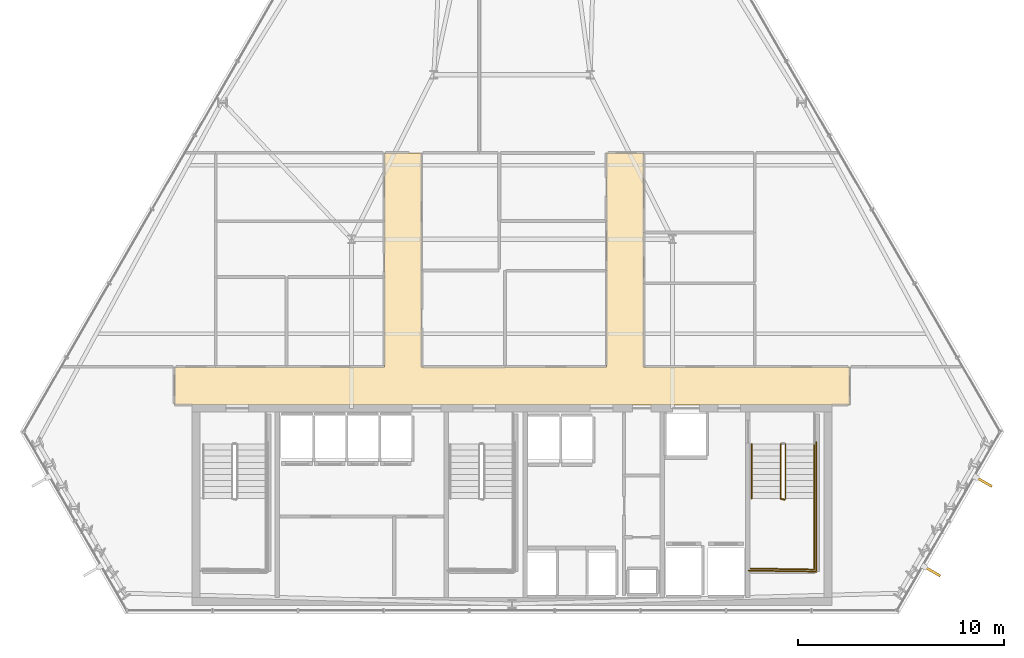
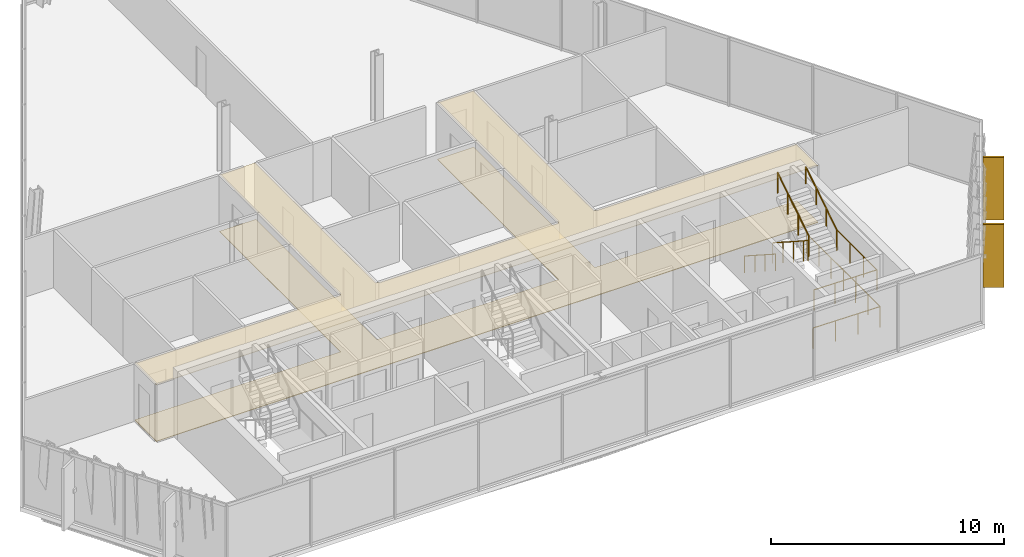
# One storey, part 33 of 35: 6 railings, 2 coverings, 2 shading devices.
"""IFC4 building model written with IfcOpenShell, lengths in metres."""

from ifc_helpers import new_model, si_unit, direction, frame, origin, origin_2d, place, context, subcontext, project, spatial, polyline, rectangle, circle, outline, extrude, material, layer, layer_set, type_object, element, save


model = new_model("IFC4")

# Units and contexts
model_context = context("Model", 3, precision=1e-05, world=origin(), true_north=direction((0.0, 1.0)))
body_context = subcontext(model_context, "Body", "Model", "MODEL_VIEW")
ifc_project = project(units=[si_unit("LENGTHUNIT", "METRE"), si_unit("AREAUNIT", "SQUARE_METRE"), si_unit("VOLUMEUNIT", "CUBIC_METRE"), si_unit("PLANEANGLEUNIT", "RADIAN"), si_unit("MASSUNIT", "GRAM", prefix="KILO")], contexts=[model_context])

# Site, building, storey
site_placement = place(None, origin())
site = spatial("IfcSite", under=ifc_project, at=site_placement, CompositionType="ELEMENT")
building_placement = place(site_placement, origin())
building = spatial("IfcBuilding", under=site, at=building_placement, Name="Ndaravel Arena Tower", CompositionType="ELEMENT")
storey_placement = place(building_placement, frame((0.0, 0.0, 180.199951171875)))
storey = spatial("IfcBuildingStorey", under=building, at=storey_placement, Name="L43", CompositionType="ELEMENT", Elevation=180.199951171875)

# Coverings
ifc_material_1 = material(Name="Acoustic Ceiling Tile", Category="finish")
ifc_layer_1 = layer(ifc_material_1, 0.02490234375)
ifc_layer_set_1 = layer_set([ifc_layer_1], Name="Acoustic Ceiling Tile")
covering_type_1 = type_object("IfcCoveringType", Name="COV-CEIL-AC600", PredefinedType="CEILING", material=ifc_layer_set_1)
covering_1_placement = place(storey_placement, frame((0.0, 0.0, 2.98046875)))
element("IfcCovering", 1, at=covering_1_placement, inside=storey, type_object=covering_type_1, Name="L43 Corridor Acoustic Ceiling", PredefinedType="CEILING", context=body_context, shape_type="SweptSolid", body=[
    extrude(outline(polyline([(58.39990234375, 17.0), (48.39990234375, 17.0), (48.39990234375, 27.39990234375), (46.60009765625, 27.39990234375), (46.60009765625, 17.0), (37.60009765625, 17.0), (37.60009765625, 27.39990234375), (35.800048828125, 27.39990234375), (35.800048828125, 17.0), (25.60009765625, 17.0), (25.60009765625, 15.14990234375), (58.39990234375, 15.14990234375), (58.39990234375, 17.0)])), origin(), (0.0, 0.0, 1.0), 0.025146484375),
])
ifc_material_2 = material(Name="Terrazzo", Category="stone")
ifc_layer_2 = layer(ifc_material_2, 0.030029296875)
ifc_layer_set_2 = layer_set([ifc_layer_2], Name="Terrazzo")
covering_type_2 = type_object("IfcCoveringType", Name="COV-FLOOR-TERRAZZO", PredefinedType="FLOORING", material=ifc_layer_set_2)
covering_2_placement = place(storey_placement, origin())
element("IfcCovering", 2, at=covering_2_placement, inside=storey, type_object=covering_type_2, Name="L43 Corridor Terrazzo Flooring", PredefinedType="FLOORING", context=body_context, shape_type="SweptSolid", body=[
    extrude(outline(polyline([(58.39990234375, 17.0), (48.39990234375, 17.0), (48.39990234375, 27.39990234375), (46.60009765625, 27.39990234375), (46.60009765625, 17.0), (37.60009765625, 17.0), (37.60009765625, 27.39990234375), (35.800048828125, 27.39990234375), (35.800048828125, 17.0), (25.60009765625, 17.0), (25.60009765625, 15.14990234375), (58.39990234375, 15.14990234375), (58.39990234375, 17.0)])), origin(), (0.0, 0.0, 1.0), 0.030029296875),
])

# Railings
ifc_material_3 = material(Name="Steel S355", Category="steel")
ifc_layer_3 = layer(ifc_material_3, 0.06005859375)
ifc_layer_set_3 = layer_set([ifc_layer_3], Name="Steel S355")
railing_type_1 = type_object("IfcRailingType", Name="RAIL-STAIR-GD1100", PredefinedType="GUARDRAIL", material=ifc_layer_set_3)
railing_1_placement = place(storey_placement, frame((55.050048828125, 13.25, 0.18994140625)))
element("IfcRailing", 3, at=railing_1_placement, inside=storey, type_object=railing_type_1, Name="L43 ST-3 stair guard 1", PredefinedType="GUARDRAIL", context=body_context, shape_type="SweptSolid", body=[
    extrude(circle(Radius=0.02392578125, at=origin_2d()), frame((0.0, 0.0, 1.076171875), z_axis=(0.0, -0.840688348013, 0.541519253134), x_axis=(1.0, 0.0, 0.0)), (0.0, 0.0, 1.0), 3.158203125),
    extrude(circle(Radius=0.02392578125, at=origin_2d()), frame((0.0, -2.655029296875, 2.7861328125), z_axis=(0.966993988697, -0.254799187253, 0.0), x_axis=(0.254799187253, 0.966993988697, 0.0)), (0.0, 0.0, 1.0), 0.196533203125),
    extrude(circle(Radius=0.02099609375, at=origin_2d()), origin(), (0.0, 0.0, 1.0), 1.052001953125),
    extrude(circle(Radius=0.02099609375, at=origin_2d()), frame((0.0, -0.885009765625, 0.570068359375)), (0.0, 0.0, 1.0), 1.052001953125),
    extrude(circle(Radius=0.02099609375, at=origin_2d()), frame((0.0, -1.77001953125, 1.14013671875)), (0.0, 0.0, 1.0), 1.052001953125),
    extrude(circle(Radius=0.02099609375, at=origin_2d()), frame((0.0, -2.655029296875, 1.710205078125)), (0.0, 0.0, 1.0), 1.052001953125),
    extrude(circle(Radius=0.02099609375, at=origin_2d()), frame((0.18994140625, -2.705078125, 1.710205078125)), (0.0, 0.0, 1.0), 1.052001953125),
])
railing_2_placement = place(storey_placement, frame((56.68994140625, 10.594970703125, 1.900146484375)))
element("IfcRailing", 4, at=railing_2_placement, inside=storey, type_object=railing_type_1, Name="L43 ST-3 stair guard 2", PredefinedType="GUARDRAIL", context=body_context, shape_type="SweptSolid", body=[
    extrude(circle(Radius=0.02392578125, at=origin_2d()), frame((0.0, 0.0, 1.076171875), z_axis=(0.0, -1.0, 0.0), x_axis=(1.0, 0.0, 0.0)), (0.0, 0.0, 1.0), 3.445068359375),
    extrude(circle(Radius=0.02392578125, at=origin_2d()), frame((0.0, -3.445068359375, 1.076171875), z_axis=(-0.999868840623, 0.016195726322, 0.0), x_axis=(-0.016195726322, -0.999868840623, 0.0)), (0.0, 0.0, 1.0), 3.09033203125),
    extrude(circle(Radius=0.02099609375, at=origin_2d()), origin(), (0.0, 0.0, 1.0), 1.052001953125),
    extrude(circle(Radius=0.02099609375, at=origin_2d()), frame((0.0, -1.1484375, 0.0)), (0.0, 0.0, 1.0), 1.052001953125),
    extrude(circle(Radius=0.02099609375, at=origin_2d()), frame((0.0, -2.296630859375, 0.0)), (0.0, 0.0, 1.0), 1.052001953125),
    extrude(circle(Radius=0.02099609375, at=origin_2d()), frame((0.0, -3.445068359375, 0.0)), (0.0, 0.0, 1.0), 1.052001953125),
    extrude(circle(Radius=0.02099609375, at=origin_2d()), frame((-1.030029296875, -3.428466796875, 0.0)), (0.0, 0.0, 1.0), 1.052001953125),
    extrude(circle(Radius=0.02099609375, at=origin_2d()), frame((-2.059814453125, -3.41162109375, 0.0)), (0.0, 0.0, 1.0), 1.052001953125),
    extrude(circle(Radius=0.02099609375, at=origin_2d()), frame((-3.08984375, -3.39501953125, 0.0)), (0.0, 0.0, 1.0), 1.052001953125),
])
railing_3_placement = place(storey_placement, frame((55.2900390625, 10.594970703125, 2.090087890625)))
element("IfcRailing", 5, at=railing_3_placement, inside=storey, type_object=railing_type_1, Name="L43 ST-3 stair guard 3", PredefinedType="GUARDRAIL", context=body_context, shape_type="SweptSolid", body=[
    extrude(circle(Radius=0.02392578125, at=origin_2d()), frame((0.0, 0.0, 1.076171875), z_axis=(0.0, 0.840723540582, 0.54146461409), x_axis=(-1.0, 0.0, 0.0)), (0.0, 0.0, 1.0), 3.157958984375),
    extrude(circle(Radius=0.02099609375, at=origin_2d()), origin(), (0.0, 0.0, 1.0), 1.052001953125),
    extrude(circle(Radius=0.02099609375, at=origin_2d()), frame((0.0, 0.885009765625, 0.570068359375)), (0.0, 0.0, 1.0), 1.052001953125),
    extrude(circle(Radius=0.02099609375, at=origin_2d()), frame((0.0, 1.77001953125, 1.139892578125)), (0.0, 0.0, 1.0), 1.052001953125),
    extrude(circle(Radius=0.02099609375, at=origin_2d()), frame((0.0, 2.655029296875, 1.7099609375)), (0.0, 0.0, 1.0), 1.052001953125),
])
railing_4_placement = place(storey_placement, frame((56.7900390625, 13.35009765625, 0.0)))
element("IfcRailing", 6, at=railing_4_placement, inside=storey, type_object=railing_type_1, Name="L43 ST-3 stair guard 6", PredefinedType="GUARDRAIL", context=body_context, shape_type="SweptSolid", body=[
    extrude(circle(Radius=0.02392578125, at=origin_2d()), frame((0.0, 0.0, 1.076171875), z_axis=(0.0, -1.0, 0.0), x_axis=(1.0, 0.0, 0.0)), (0.0, 0.0, 1.0), 6.300048828125),
    extrude(circle(Radius=0.02392578125, at=origin_2d()), frame((0.0, -6.300048828125, 1.076171875), z_axis=(-0.99988431412, 0.015210469308, 0.0), x_axis=(-0.015210469308, -0.99988431412, 0.0)), (0.0, 0.0, 1.0), 3.29052734375),
    extrude(circle(Radius=0.02099609375, at=origin_2d()), origin(), (0.0, 0.0, 1.0), 1.052001953125),
    extrude(circle(Radius=0.02099609375, at=origin_2d()), frame((0.0, -1.050048828125, 0.0)), (0.0, 0.0, 1.0), 1.052001953125),
    extrude(circle(Radius=0.02099609375, at=origin_2d()), frame((0.0, -2.10009765625, 0.0)), (0.0, 0.0, 1.0), 1.052001953125),
    extrude(circle(Radius=0.02099609375, at=origin_2d()), frame((0.0, -3.14990234375, 0.0)), (0.0, 0.0, 1.0), 1.052001953125),
    extrude(circle(Radius=0.02099609375, at=origin_2d()), frame((0.0, -4.199951171875, 0.0)), (0.0, 0.0, 1.0), 1.052001953125),
    extrude(circle(Radius=0.02099609375, at=origin_2d()), frame((0.0, -5.25, 0.0)), (0.0, 0.0, 1.0), 1.052001953125),
    extrude(circle(Radius=0.02099609375, at=origin_2d()), frame((0.0, -6.300048828125, 0.0)), (0.0, 0.0, 1.0), 1.052001953125),
    extrude(circle(Radius=0.02099609375, at=origin_2d()), frame((-1.0966796875, -6.283447265625, 0.0)), (0.0, 0.0, 1.0), 1.052001953125),
    extrude(circle(Radius=0.02099609375, at=origin_2d()), frame((-2.193359375, -6.2666015625, 0.0)), (0.0, 0.0, 1.0), 1.052001953125),
    extrude(circle(Radius=0.02099609375, at=origin_2d()), frame((-3.2900390625, -6.25, 0.0)), (0.0, 0.0, 1.0), 1.052001953125),
])
ifc_material_4 = material(Name="Steel S355", Category="steel")
ifc_layer_4 = layer(ifc_material_4, 0.050048828125)
ifc_layer_set_4 = layer_set([ifc_layer_4], Name="Steel S355")
railing_type_2 = type_object("IfcRailingType", Name="RAIL-STAIR-HR920", PredefinedType="HANDRAIL", material=ifc_layer_set_4)
railing_5_placement = place(storey_placement, frame((53.64990234375, 13.25, 0.18994140625)))
element("IfcRailing", 7, at=railing_5_placement, inside=storey, type_object=railing_type_2, Name="L43 ST-3 stair handrail 1", PredefinedType="HANDRAIL", context=body_context, shape_type="SweptSolid", body=[
    extrude(circle(Radius=0.02392578125, at=origin_2d()), frame((0.0, 0.0, 0.8759765625), z_axis=(0.0, -0.840688348013, 0.541519253134), x_axis=(1.0, 0.0, 0.0)), (0.0, 0.0, 1.0), 3.158203125),
    extrude(circle(Radius=0.02099609375, at=origin_2d()), origin(), (0.0, 0.0, 1.0), 0.851806640625),
    extrude(circle(Radius=0.02099609375, at=origin_2d()), frame((0.0, -0.885009765625, 0.570068359375)), (0.0, 0.0, 1.0), 0.851806640625),
    extrude(circle(Radius=0.02099609375, at=origin_2d()), frame((0.0, -1.77001953125, 1.14013671875)), (0.0, 0.0, 1.0), 0.851806640625),
    extrude(circle(Radius=0.02099609375, at=origin_2d()), frame((0.0, -2.655029296875, 1.710205078125)), (0.0, 0.0, 1.0), 0.851806640625),
])
railing_6_placement = place(storey_placement, frame((56.68994140625, 10.594970703125, 2.090087890625)))
element("IfcRailing", 8, at=railing_6_placement, inside=storey, type_object=railing_type_2, Name="L43 ST-3 stair handrail 2", PredefinedType="HANDRAIL", context=body_context, shape_type="SweptSolid", body=[
    extrude(circle(Radius=0.02392578125, at=origin_2d()), frame((0.0, 0.0, 0.8759765625), z_axis=(0.0, 0.840723540582, 0.54146461409), x_axis=(-1.0, 0.0, 0.0)), (0.0, 0.0, 1.0), 3.157958984375),
    extrude(circle(Radius=0.02099609375, at=origin_2d()), origin(), (0.0, 0.0, 1.0), 0.851806640625),
    extrude(circle(Radius=0.02099609375, at=origin_2d()), frame((0.0, 0.885009765625, 0.570068359375)), (0.0, 0.0, 1.0), 0.851806640625),
    extrude(circle(Radius=0.02099609375, at=origin_2d()), frame((0.0, 1.77001953125, 1.139892578125)), (0.0, 0.0, 1.0), 0.851806640625),
    extrude(circle(Radius=0.02099609375, at=origin_2d()), frame((0.0, 2.655029296875, 1.7099609375)), (0.0, 0.0, 1.0), 0.851806640625),
])

# Shading devices
ifc_material_5 = material(Name="Masonry", Category="masonry")
shading_device_type = type_object("IfcShadingDeviceType", Name="SHD-MAZERAS-FIN", PredefinedType="SHUTTER", material=ifc_material_5)
for number, where, z_axis, x_axis, name in (
    (9, (62.420654296875, 7.066162109375, 0.14990234375), (0.0, 0.0, 1.0), (0.866025403784, -0.5, 0.0), "L43 Mazeras Stone Solar Fin E2.1"),
    (10, (64.929931640625, 11.41259765625, 0.14990234375), (0.0, 0.0, 1.0), (0.866025403784, -0.5, 0.0), "L43 Mazeras Stone Solar Fin E2.2"),
):
    element("IfcShadingDevice", number, at=place(storey_placement, frame(where, z_axis=z_axis, x_axis=x_axis)), inside=storey, type_object=shading_device_type, Name=name, PredefinedType="SHUTTER", context=body_context, shape_type="SweptSolid", body=[
        extrude(rectangle(XDim=0.89990234375, YDim=0.1201171875, at=origin_2d()), origin(), (0.0, 0.0, 1.0), 3.280029296875),
    ])

save(model, "model.ifc")
